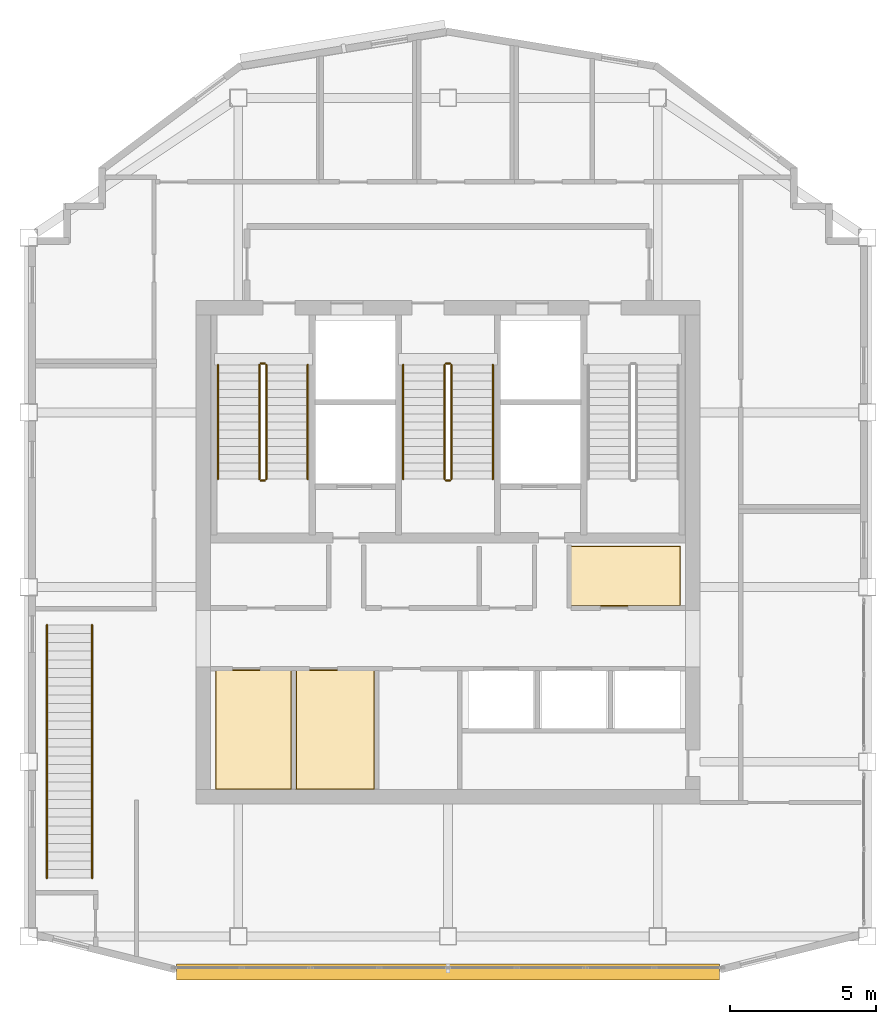
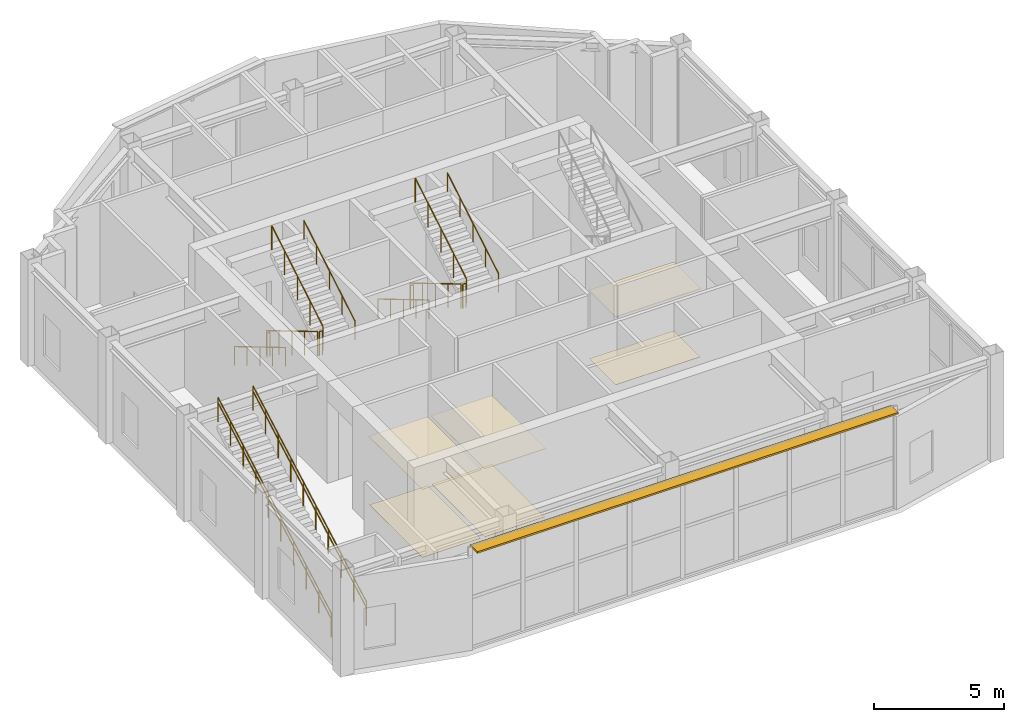
# One storey, part 10 of 11: 16 railings, 6 coverings, 1 shading device.
"""IFC4 building model written with IfcOpenShell, lengths in metres."""

import ifcopenshell
import ifcopenshell.guid

model = None  # the IFC model being written
_history = None  # IfcOwnerHistory: only IFC2X3 demands one
_inside = {}  # id of a spatial element -> (the spatial element, [elements in it])
_under = {}  # id of a project, library or spatial element -> (it, [spatial elements below it])
_declared = {}  # id of a project -> (the project, [libraries it declares])
_typed = {}  # id of a type object -> (the type object, [elements of that type])
_made_of = {}  # id of a material, layer set ... -> (it, [elements and type objects made of it])


def new_model(schema):
    """Start an empty IFC model of exactly this schema.

    Asked for "IFC4X3", IfcOpenShell would pick the latest addendum, in which some entities
    have other attributes; the version numbers below select the first issue.
    IFC2X3 requires an IfcOwnerHistory on every rooted entity: one is made here for all.
    """
    global model, _history
    if schema == "IFC4X3":
        model = ifcopenshell.file(schema_version=(4, 3, 0, 0))
    else:
        model = ifcopenshell.file(schema=schema)
    _inside.clear()
    _under.clear()
    _declared.clear()
    _typed.clear()
    _made_of.clear()
    _history = None
    if model.schema == "IFC2X3":
        org = make("IfcOrganization", Name="unknown")
        user = make(
            "IfcPersonAndOrganization",
            ThePerson=make("IfcPerson", FamilyName="unknown"),
            TheOrganization=org,
        )
        app = make(
            "IfcApplication",
            ApplicationDeveloper=org,
            Version="unknown",
            ApplicationFullName="unknown",
            ApplicationIdentifier="unknown",
        )
        _history = make(
            "IfcOwnerHistory",
            OwningUser=user,
            OwningApplication=app,
            ChangeAction="ADDED",
            CreationDate=0,
        )
    return model


def make(cls, **values):
    """One entity of the class cls with the attributes given. An attribute that is None is left unset."""
    return model.create_entity(
        cls, **{name: value for name, value in values.items() if value is not None}
    )


def rooted(cls, **values):
    """An entity with a GlobalId (a new one), such as an element, a storey or a relation."""
    return make(cls, GlobalId=ifcopenshell.guid.new(), OwnerHistory=_history, **values)


def si_unit(unit_type, name, prefix=None):
    """IfcSIUnit, for example si_unit("LENGTHUNIT", "METRE", prefix="MILLI")."""
    return make("IfcSIUnit", UnitType=unit_type, Prefix=prefix, Name=name)


def assignment(units):
    """IfcUnitAssignment: the units of a project."""
    return None if units is None else make("IfcUnitAssignment", Units=units)


def point(xyz):
    """IfcCartesianPoint."""
    return None if xyz is None else make("IfcCartesianPoint", Coordinates=xyz)


def direction(xyz):
    """IfcDirection."""
    return None if xyz is None else make("IfcDirection", DirectionRatios=xyz)


def frame(location, z_axis=None, x_axis=None):
    """IfcAxis2Placement3D, a coordinate frame: its origin and axes. An axis left out is left unset."""
    return make(
        "IfcAxis2Placement3D",
        Location=point(location),
        Axis=direction(z_axis),
        RefDirection=direction(x_axis),
    )


def frame_2d(location, x_axis=None):
    """IfcAxis2Placement2D, a coordinate frame in the plane: its origin and x axis."""
    return make(
        "IfcAxis2Placement2D", Location=point(location), RefDirection=direction(x_axis)
    )


def origin():
    """The frame at (0, 0, 0) with its axes left unset."""
    return frame((0.0, 0.0, 0.0))


def origin_2d():
    """The frame at (0, 0) in the plane with its x axis left unset."""
    return frame_2d((0.0, 0.0))


def place(relative_to, where):
    """IfcLocalPlacement: puts the frame where relative to a parent placement (None: the world)."""
    return make(
        "IfcLocalPlacement", PlacementRelTo=relative_to, RelativePlacement=where
    )


def context(
    kind, dimensions, precision=None, world=None, true_north=None, identifier=None
):
    """IfcGeometricRepresentationContext, for example the 3D "Model" context."""
    return make(
        "IfcGeometricRepresentationContext",
        ContextIdentifier=identifier,
        ContextType=kind,
        CoordinateSpaceDimension=dimensions,
        Precision=precision,
        WorldCoordinateSystem=world,
        TrueNorth=true_north,
    )


def subcontext(parent, identifier, kind, view, scale=None):
    """IfcGeometricRepresentationSubContext, for example "Body" below "Model"."""
    return make(
        "IfcGeometricRepresentationSubContext",
        ContextIdentifier=identifier,
        ContextType=kind,
        ParentContext=parent,
        TargetScale=scale,
        TargetView=view,
    )


def project(units=None, contexts=None):
    """IfcProject with its units and contexts."""
    return rooted(
        "IfcProject",
        Name="project",
        RepresentationContexts=contexts,
        UnitsInContext=assignment(units),
    )


def spatial(cls, under=None, at=None, **own):
    """A site, building, storey or space (cls), placed at a placement, below another one or the project."""
    s = rooted(cls, ObjectPlacement=at, **own)
    if under is not None:
        _under.setdefault(under.id(), (under, []))[1].append(s)
    return s


def polyline(points):
    """IfcPolyline through the points."""
    return make("IfcPolyline", Points=[point(p) for p in points])


def profile(cls, at=None, kind="AREA", **sizes):
    """A parametric profile (cls). Its sizes go by their IFC names, for example OverallWidth=200.0."""
    return make(cls, ProfileType=kind, Position=at, **sizes)


def rectangle(**sizes):
    """IfcRectangleProfileDef."""
    return profile("IfcRectangleProfileDef", **sizes)


def circle(**sizes):
    """IfcCircleProfileDef."""
    return profile("IfcCircleProfileDef", **sizes)


def outline(outer, holes=None, kind="AREA"):
    """IfcArbitraryClosedProfileDef: a profile drawn as a closed curve; with holes, ...WithVoids."""
    if holes is None:
        return make("IfcArbitraryClosedProfileDef", ProfileType=kind, OuterCurve=outer)
    return make(
        "IfcArbitraryProfileDefWithVoids",
        ProfileType=kind,
        OuterCurve=outer,
        InnerCurves=holes,
    )


def extrude(swept, where, along, depth):
    """IfcExtrudedAreaSolid: the profile swept, set in the frame where, extruded along a direction by depth."""
    return make(
        "IfcExtrudedAreaSolid",
        SweptArea=swept,
        Position=where,
        ExtrudedDirection=direction(along),
        Depth=depth,
    )


def shape(context_of_items, identifier, shape_type, items):
    """IfcShapeRepresentation: the items that make up one representation, for example the "Body"."""
    return make(
        "IfcShapeRepresentation",
        ContextOfItems=context_of_items,
        RepresentationIdentifier=identifier,
        RepresentationType=shape_type,
        Items=items,
    )


def material(Name=None, Category=None):
    """IfcMaterial."""
    return make("IfcMaterial", Name=Name, Category=Category)


def layer(
    of_material, thickness, ventilated=None, Name=None, Category=None, Priority=None
):
    """IfcMaterialLayer: one layer of a wall or slab, of a material (None: an air gap)."""
    return make(
        "IfcMaterialLayer",
        Material=of_material,
        LayerThickness=thickness,
        IsVentilated=ventilated,
        Name=Name,
        Category=Category,
        Priority=Priority,
    )


def layer_set(layers, Name=None):
    """IfcMaterialLayerSet."""
    return make("IfcMaterialLayerSet", MaterialLayers=layers, LayerSetName=Name)


def made_of(thing, what):
    """Note that an element or type object is made of a material, layer set ...; save() writes the relation."""
    if what is not None:
        _made_of.setdefault(what.id(), (what, []))[1].append(thing)
    return thing


def type_object(cls, material=None, **own):
    """A type object (cls), such as IfcWallType, which elements share."""
    return made_of(rooted(cls, **own), material)


def element(
    cls,
    number,
    at=None,
    inside=None,
    cuts=None,
    type_object=None,
    material=None,
    context=None,
    identifier="Body",
    shape_type=None,
    held_by="IfcProductDefinitionShape",
    body=None,
    shapes=None,
    **own,
):
    """One element of the class cls, such as IfcWall. Its Tag is "e" and its number.

    at: its placement. inside: the storey or other place that contains it. cuts: it is an
    opening in that element (IfcRelVoidsElement). A single representation is given by context,
    identifier, shape_type and body (its items); several are given by shapes. held_by: the class
    of the entity that holds the representations. save() writes the other relations.
    """
    e = rooted(cls, Tag="e%d" % number, ObjectPlacement=at, **own)
    if body is not None:
        shapes = [shape(context, identifier, shape_type, body)]
    if shapes is not None:
        e.Representation = make(held_by, Representations=shapes)
    if inside is not None:
        _inside.setdefault(inside.id(), (inside, []))[1].append(e)
    if cuts is not None:
        rooted(
            "IfcRelVoidsElement", RelatingBuildingElement=cuts, RelatedOpeningElement=e
        )
    if type_object is not None:
        _typed.setdefault(type_object.id(), (type_object, []))[1].append(e)
    return made_of(e, material)


def aggregate(whole, parts):
    """IfcRelAggregates: a whole, such as a stair, and the parts it consists of."""
    return rooted("IfcRelAggregates", RelatingObject=whole, RelatedObjects=parts)


def save(model, path):
    """Write the relations noted so far, then the file.

    IfcRelAggregates (storeys below a building ...), IfcRelContainedInSpatialStructure (elements
    in a storey), IfcRelDefinesByType, IfcRelAssociatesMaterial and IfcRelDeclares: one each for
    every whole, place, type object, material and project.
    """
    for whole, parts in _under.values():
        aggregate(whole, parts)
    for where, things in _inside.values():
        rooted(
            "IfcRelContainedInSpatialStructure",
            RelatedElements=things,
            RelatingStructure=where,
        )
    for kind, things in _typed.values():
        rooted("IfcRelDefinesByType", RelatedObjects=things, RelatingType=kind)
    for what, things in _made_of.values():
        rooted("IfcRelAssociatesMaterial", RelatedObjects=things, RelatingMaterial=what)
    for by, libraries in _declared.values():
        rooted("IfcRelDeclares", RelatingContext=by, RelatedDefinitions=libraries)
    model.write(path)


model = new_model("IFC4")

# Units and contexts
model_context = context("Model", 3, precision=1e-05, world=origin(), true_north=direction((0.0, 1.0)))
body_context = subcontext(model_context, "Body", "Model", "MODEL_VIEW")
ifc_project = project(units=[si_unit("LENGTHUNIT", "METRE"), si_unit("AREAUNIT", "SQUARE_METRE"), si_unit("VOLUMEUNIT", "CUBIC_METRE"), si_unit("PLANEANGLEUNIT", "RADIAN"), si_unit("MASSUNIT", "GRAM", prefix="KILO")], contexts=[model_context])

# Site, building, storey
site_placement = place(None, origin())
site = spatial("IfcSite", under=ifc_project, at=site_placement, CompositionType="ELEMENT")
building_placement = place(site_placement, origin())
building = spatial("IfcBuilding", under=site, at=building_placement, Name="Haolan Belvedere Tower", CompositionType="ELEMENT")
storey_placement = place(building_placement, frame((0.0, 0.0, 318.199951171875)))
storey = spatial("IfcBuildingStorey", under=building, at=storey_placement, Name="L80", CompositionType="ELEMENT", Elevation=318.199951171875)

# Coverings
ifc_material_1 = material(Name="Acoustic mineral-fibre suspended ceiling system", Category="masonry")
ifc_layer_1 = layer(ifc_material_1, 0.02490234375, Name="Acoustic mineral-fibre suspended ceiling system")
ifc_layer_set_1 = layer_set([ifc_layer_1], Name="Acoustic mineral-fibre suspended ceiling system")
covering_type_1 = type_object("IfcCoveringType", Name="COV-CEIL-AC25", PredefinedType="CEILING", material=ifc_layer_set_1)
covering_1_placement = place(storey_placement, frame((0.0, 0.0, 3.199951171875)))
element("IfcCovering", 1, at=covering_1_placement, inside=storey, type_object=covering_type_1, Name="L80 suspended acoustic ceiling L80-REUSE-PH23.1", PredefinedType="CEILING", context=body_context, shape_type="SweptSolid", body=[
    extrude(outline(polyline([(42.60791015625, 32.93798828125), (46.39208984375, 32.93798828125), (46.39208984375, 35.011962890625), (42.60791015625, 35.011962890625), (42.60791015625, 32.93798828125)])), origin(), (0.0, 0.0, 1.0), 0.025146484375),
])
covering_2_placement = place(storey_placement, frame((0.0, 0.0, 3.199951171875)))
element("IfcCovering", 2, at=covering_2_placement, inside=storey, type_object=covering_type_1, Name="L80 suspended acoustic ceiling L80-REUSE-PM-A.2", PredefinedType="CEILING", context=body_context, shape_type="SweptSolid", body=[
    extrude(outline(polyline([(30.407958984375, 26.64794921875), (33.031982421875, 26.64794921875), (33.031982421875, 30.761962890625), (30.407958984375, 30.761962890625), (30.407958984375, 26.64794921875)])), origin(), (0.0, 0.0, 1.0), 0.025146484375),
])
covering_3_placement = place(storey_placement, frame((0.0, 0.0, 3.199951171875)))
element("IfcCovering", 3, at=covering_3_placement, inside=storey, type_object=covering_type_1, Name="L80 suspended acoustic ceiling L80-REUSE-PM-B.3", PredefinedType="CEILING", context=body_context, shape_type="SweptSolid", body=[
    extrude(outline(polyline([(33.16796875, 26.64794921875), (35.882080078125, 26.64794921875), (35.882080078125, 30.761962890625), (33.16796875, 30.761962890625), (33.16796875, 26.64794921875)])), origin(), (0.0, 0.0, 1.0), 0.025146484375),
])
ifc_material_2 = material(Name="Honed terrazzo and natural granite stone flooring", Category="masonry")
ifc_layer_2 = layer(ifc_material_2, 0.014892578125, Name="Honed terrazzo and natural granite stone flooring")
ifc_layer_set_2 = layer_set([ifc_layer_2], Name="Honed terrazzo and natural granite stone flooring")
covering_type_2 = type_object("IfcCoveringType", Name="COV-FLR-STN30", PredefinedType="FLOORING", material=ifc_layer_set_2)
covering_4_placement = place(storey_placement, origin())
element("IfcCovering", 4, at=covering_4_placement, inside=storey, type_object=covering_type_2, Name="L80 polished stone floor finish L80-REUSE-PH23.1", PredefinedType="FLOORING", context=body_context, shape_type="SweptSolid", body=[
    extrude(outline(polyline([(46.366943359375, 32.962890625), (46.366943359375, 34.987060546875), (42.633056640625, 34.987060546875), (42.633056640625, 32.962890625), (46.366943359375, 32.962890625)])), origin(), (0.0, 0.0, 1.0), 0.01513671875),
])
covering_5_placement = place(storey_placement, origin())
element("IfcCovering", 5, at=covering_5_placement, inside=storey, type_object=covering_type_2, Name="L80 polished stone floor finish L80-REUSE-PM-A.2", PredefinedType="FLOORING", context=body_context, shape_type="SweptSolid", body=[
    extrude(outline(polyline([(33.007080078125, 26.673095703125), (33.007080078125, 30.737060546875), (30.43310546875, 30.737060546875), (30.43310546875, 26.673095703125), (33.007080078125, 26.673095703125)])), origin(), (0.0, 0.0, 1.0), 0.01513671875),
])
covering_6_placement = place(storey_placement, origin())
element("IfcCovering", 6, at=covering_6_placement, inside=storey, type_object=covering_type_2, Name="L80 polished stone floor finish L80-REUSE-PM-B.3", PredefinedType="FLOORING", context=body_context, shape_type="SweptSolid", body=[
    extrude(outline(polyline([(35.85693359375, 26.673095703125), (35.85693359375, 30.737060546875), (33.193115234375, 30.737060546875), (33.193115234375, 26.673095703125), (35.85693359375, 26.673095703125)])), origin(), (0.0, 0.0, 1.0), 0.01513671875),
])

# Railings
ifc_material_3 = material(Name="Brushed stainless steel 304", Category="steel")
railing_type_1 = type_object("IfcRailingType", Name="RL-STAIR-GRD-1150", PredefinedType="GUARDRAIL", material=ifc_material_3)
railing_1_placement = place(storey_placement, frame((31.919921875, 41.22998046875, 0.166748046875)))
element("IfcRailing", 7, at=railing_1_placement, inside=storey, type_object=railing_type_1, Name="L80 ST1 stair guard 1", PredefinedType="GUARDRAIL", context=body_context, shape_type="SweptSolid", body=[
    extrude(circle(Radius=0.02392578125, at=origin_2d()), frame((0.0, 0.0, 1.1259765625), z_axis=(0.0, -0.859296244711, 0.511478214419), x_axis=(1.0, 0.0, 0.0)), (0.0, 0.0, 1.0), 4.561767578125),
    extrude(circle(Radius=0.02099609375, at=origin_2d()), origin(), (0.0, 0.0, 1.0), 1.101806640625),
    extrude(circle(Radius=0.02099609375, at=origin_2d()), frame((0.0, -0.97998046875, 0.583251953125)), (0.0, 0.0, 1.0), 1.101806640625),
    extrude(circle(Radius=0.02099609375, at=origin_2d()), frame((0.0, -1.9599609375, 1.16650390625)), (0.0, 0.0, 1.0), 1.101806640625),
    extrude(circle(Radius=0.02099609375, at=origin_2d()), frame((0.0, -2.93994140625, 1.75)), (0.0, 0.0, 1.0), 1.101806640625),
    extrude(circle(Radius=0.02099609375, at=origin_2d()), frame((0.0, -3.919921875, 2.333251953125)), (0.0, 0.0, 1.0), 1.101806640625),
])
railing_2_placement = place(storey_placement, frame((31.969970703125, 37.260009765625, 2.5)))
element("IfcRailing", 8, at=railing_2_placement, inside=storey, type_object=railing_type_1, Name="L80 ST1 stair guard 2", PredefinedType="GUARDRAIL", context=body_context, shape_type="SweptSolid", body=[
    extrude(circle(Radius=0.02392578125, at=origin_2d()), frame((0.0, 0.0, 1.1259765625), z_axis=(1.0, 0.0, 0.0), x_axis=(0.0, 1.0, 0.0)), (0.0, 0.0, 1.0), 0.14013671875),
    extrude(circle(Radius=0.02099609375, at=origin_2d()), origin(), (0.0, 0.0, 1.0), 1.101806640625),
    extrude(circle(Radius=0.02099609375, at=origin_2d()), frame((0.14013671875, 0.0, 0.0)), (0.0, 0.0, 1.0), 1.101806640625),
])
railing_3_placement = place(storey_placement, frame((32.159912109375, 37.31005859375, 2.666748046875)))
element("IfcRailing", 9, at=railing_3_placement, inside=storey, type_object=railing_type_1, Name="L80 ST1 stair guard 3", PredefinedType="GUARDRAIL", context=body_context, shape_type="SweptSolid", body=[
    extrude(circle(Radius=0.02392578125, at=origin_2d()), frame((0.0, 0.0, 1.1259765625), z_axis=(0.0, 0.859296244711, 0.511478214419), x_axis=(-1.0, 0.0, 0.0)), (0.0, 0.0, 1.0), 4.561767578125),
    extrude(circle(Radius=0.02099609375, at=origin_2d()), origin(), (0.0, 0.0, 1.0), 1.101806640625),
    extrude(circle(Radius=0.02099609375, at=origin_2d()), frame((0.0, 0.97998046875, 0.583251953125)), (0.0, 0.0, 1.0), 1.101806640625),
    extrude(circle(Radius=0.02099609375, at=origin_2d()), frame((0.0, 1.9599609375, 1.16650390625)), (0.0, 0.0, 1.0), 1.101806640625),
    extrude(circle(Radius=0.02099609375, at=origin_2d()), frame((0.0, 2.93994140625, 1.75)), (0.0, 0.0, 1.0), 1.101806640625),
    extrude(circle(Radius=0.02099609375, at=origin_2d()), frame((0.0, 3.919921875, 2.333251953125)), (0.0, 0.0, 1.0), 1.101806640625),
])
railing_4_placement = place(storey_placement, frame((31.969970703125, 41.280029296875, 0.0)))
element("IfcRailing", 10, at=railing_4_placement, inside=storey, type_object=railing_type_1, Name="L80 ST1 stair guard 4", PredefinedType="GUARDRAIL", context=body_context, shape_type="SweptSolid", body=[
    extrude(circle(Radius=0.02392578125, at=origin_2d()), frame((0.0, 0.0, 1.1259765625), z_axis=(1.0, 0.0, 0.0), x_axis=(0.0, 1.0, 0.0)), (0.0, 0.0, 1.0), 0.14013671875),
    extrude(circle(Radius=0.02099609375, at=origin_2d()), origin(), (0.0, 0.0, 1.0), 1.101806640625),
    extrude(circle(Radius=0.02099609375, at=origin_2d()), frame((0.14013671875, 0.0, 0.0)), (0.0, 0.0, 1.0), 1.101806640625),
])
railing_5_placement = place(storey_placement, frame((38.280029296875, 41.22998046875, 0.166748046875)))
element("IfcRailing", 11, at=railing_5_placement, inside=storey, type_object=railing_type_1, Name="L80 ST3 stair guard 1", PredefinedType="GUARDRAIL", context=body_context, shape_type="SweptSolid", body=[
    extrude(circle(Radius=0.02392578125, at=origin_2d()), frame((0.0, 0.0, 1.1259765625), z_axis=(0.0, -0.859296244711, 0.511478214419), x_axis=(1.0, 0.0, 0.0)), (0.0, 0.0, 1.0), 4.561767578125),
    extrude(circle(Radius=0.02099609375, at=origin_2d()), origin(), (0.0, 0.0, 1.0), 1.101806640625),
    extrude(circle(Radius=0.02099609375, at=origin_2d()), frame((0.0, -0.97998046875, 0.583251953125)), (0.0, 0.0, 1.0), 1.101806640625),
    extrude(circle(Radius=0.02099609375, at=origin_2d()), frame((0.0, -1.9599609375, 1.16650390625)), (0.0, 0.0, 1.0), 1.101806640625),
    extrude(circle(Radius=0.02099609375, at=origin_2d()), frame((0.0, -2.93994140625, 1.75)), (0.0, 0.0, 1.0), 1.101806640625),
    extrude(circle(Radius=0.02099609375, at=origin_2d()), frame((0.0, -3.919921875, 2.333251953125)), (0.0, 0.0, 1.0), 1.101806640625),
])
railing_6_placement = place(storey_placement, frame((38.330078125, 37.260009765625, 2.5)))
element("IfcRailing", 12, at=railing_6_placement, inside=storey, type_object=railing_type_1, Name="L80 ST3 stair guard 2", PredefinedType="GUARDRAIL", context=body_context, shape_type="SweptSolid", body=[
    extrude(circle(Radius=0.02392578125, at=origin_2d()), frame((0.0, 0.0, 1.1259765625), z_axis=(1.0, 0.0, 0.0), x_axis=(0.0, 1.0, 0.0)), (0.0, 0.0, 1.0), 0.139892578125),
    extrude(circle(Radius=0.02099609375, at=origin_2d()), origin(), (0.0, 0.0, 1.0), 1.101806640625),
    extrude(circle(Radius=0.02099609375, at=origin_2d()), frame((0.139892578125, 0.0, 0.0)), (0.0, 0.0, 1.0), 1.101806640625),
])
railing_7_placement = place(storey_placement, frame((38.52001953125, 37.31005859375, 2.666748046875)))
element("IfcRailing", 13, at=railing_7_placement, inside=storey, type_object=railing_type_1, Name="L80 ST3 stair guard 3", PredefinedType="GUARDRAIL", context=body_context, shape_type="SweptSolid", body=[
    extrude(circle(Radius=0.02392578125, at=origin_2d()), frame((0.0, 0.0, 1.1259765625), z_axis=(0.0, 0.859296244711, 0.511478214419), x_axis=(-1.0, 0.0, 0.0)), (0.0, 0.0, 1.0), 4.561767578125),
    extrude(circle(Radius=0.02099609375, at=origin_2d()), origin(), (0.0, 0.0, 1.0), 1.101806640625),
    extrude(circle(Radius=0.02099609375, at=origin_2d()), frame((0.0, 0.97998046875, 0.583251953125)), (0.0, 0.0, 1.0), 1.101806640625),
    extrude(circle(Radius=0.02099609375, at=origin_2d()), frame((0.0, 1.9599609375, 1.16650390625)), (0.0, 0.0, 1.0), 1.101806640625),
    extrude(circle(Radius=0.02099609375, at=origin_2d()), frame((0.0, 2.93994140625, 1.75)), (0.0, 0.0, 1.0), 1.101806640625),
    extrude(circle(Radius=0.02099609375, at=origin_2d()), frame((0.0, 3.919921875, 2.333251953125)), (0.0, 0.0, 1.0), 1.101806640625),
])
railing_8_placement = place(storey_placement, frame((38.330078125, 41.280029296875, 0.0)))
element("IfcRailing", 14, at=railing_8_placement, inside=storey, type_object=railing_type_1, Name="L80 ST3 stair guard 4", PredefinedType="GUARDRAIL", context=body_context, shape_type="SweptSolid", body=[
    extrude(circle(Radius=0.02392578125, at=origin_2d()), frame((0.0, 0.0, 1.1259765625), z_axis=(1.0, 0.0, 0.0), x_axis=(0.0, 1.0, 0.0)), (0.0, 0.0, 1.0), 0.139892578125),
    extrude(circle(Radius=0.02099609375, at=origin_2d()), origin(), (0.0, 0.0, 1.0), 1.101806640625),
    extrude(circle(Radius=0.02099609375, at=origin_2d()), frame((0.139892578125, 0.0, 0.0)), (0.0, 0.0, 1.0), 1.101806640625),
])
for number, where, name in (
    (15, (24.625, 23.60009765625, 0.166748046875), "L80 ST10 flight guard 1"),
    (16, (26.175048828125, 23.60009765625, 0.166748046875), "L80 ST10 flight guard 2"),
):
    element("IfcRailing", number, at=place(storey_placement, frame(where)), inside=storey, type_object=railing_type_1, Name=name, PredefinedType="GUARDRAIL", context=body_context, shape_type="SweptSolid", body=[
        extrude(circle(Radius=0.02392578125, at=origin_2d()), frame((0.0, 0.0, 1.1259765625), z_axis=(0.0, 0.87415959035, 0.485638765544), x_axis=(-1.0, 0.0, 0.0)), (0.0, 0.0, 1.0), 9.952392578125),
        extrude(circle(Radius=0.02099609375, at=origin_2d()), origin(), (0.0, 0.0, 1.0), 1.101806640625),
        extrude(circle(Radius=0.02099609375, at=origin_2d()), frame((0.0, 0.966552734375, 0.537109375)), (0.0, 0.0, 1.0), 1.101806640625),
        extrude(circle(Radius=0.02099609375, at=origin_2d()), frame((0.0, 1.933349609375, 1.073974609375)), (0.0, 0.0, 1.0), 1.101806640625),
        extrude(circle(Radius=0.02099609375, at=origin_2d()), frame((0.0, 2.89990234375, 1.611083984375)), (0.0, 0.0, 1.0), 1.101806640625),
        extrude(circle(Radius=0.02099609375, at=origin_2d()), frame((0.0, 3.86669921875, 2.148193359375)), (0.0, 0.0, 1.0), 1.101806640625),
        extrude(circle(Radius=0.02099609375, at=origin_2d()), frame((0.0, 4.833251953125, 2.68505859375)), (0.0, 0.0, 1.0), 1.101806640625),
        extrude(circle(Radius=0.02099609375, at=origin_2d()), frame((0.0, 5.800048828125, 3.22216796875)), (0.0, 0.0, 1.0), 1.101806640625),
        extrude(circle(Radius=0.02099609375, at=origin_2d()), frame((0.0, 6.7666015625, 3.75927734375)), (0.0, 0.0, 1.0), 1.101806640625),
        extrude(circle(Radius=0.02099609375, at=origin_2d()), frame((0.0, 7.7333984375, 4.296142578125)), (0.0, 0.0, 1.0), 1.101806640625),
        extrude(circle(Radius=0.02099609375, at=origin_2d()), frame((0.0, 8.699951171875, 4.833251953125)), (0.0, 0.0, 1.0), 1.101806640625),
    ])
railing_type_2 = type_object("IfcRailingType", Name="RL-STAIR-HND-900", PredefinedType="HANDRAIL", material=ifc_material_3)
railing_9_placement = place(storey_placement, frame((30.5, 41.22998046875, 0.166748046875)))
element("IfcRailing", 17, at=railing_9_placement, inside=storey, type_object=railing_type_2, Name="L80 ST1 stair handrail 1", PredefinedType="HANDRAIL", context=body_context, shape_type="SweptSolid", body=[
    extrude(circle(Radius=0.02392578125, at=origin_2d()), frame((0.0, 0.0, 0.8759765625), z_axis=(0.0, -0.859296244711, 0.511478214419), x_axis=(1.0, 0.0, 0.0)), (0.0, 0.0, 1.0), 4.561767578125),
    extrude(circle(Radius=0.02099609375, at=origin_2d()), origin(), (0.0, 0.0, 1.0), 0.851806640625),
    extrude(circle(Radius=0.02099609375, at=origin_2d()), frame((0.0, -0.97998046875, 0.583251953125)), (0.0, 0.0, 1.0), 0.851806640625),
    extrude(circle(Radius=0.02099609375, at=origin_2d()), frame((0.0, -1.9599609375, 1.16650390625)), (0.0, 0.0, 1.0), 0.851806640625),
    extrude(circle(Radius=0.02099609375, at=origin_2d()), frame((0.0, -2.93994140625, 1.75)), (0.0, 0.0, 1.0), 0.851806640625),
    extrude(circle(Radius=0.02099609375, at=origin_2d()), frame((0.0, -3.919921875, 2.333251953125)), (0.0, 0.0, 1.0), 0.851806640625),
])
railing_10_placement = place(storey_placement, frame((33.580078125, 37.31005859375, 2.666748046875)))
element("IfcRailing", 18, at=railing_10_placement, inside=storey, type_object=railing_type_2, Name="L80 ST1 stair handrail 2", PredefinedType="HANDRAIL", context=body_context, shape_type="SweptSolid", body=[
    extrude(circle(Radius=0.02392578125, at=origin_2d()), frame((0.0, 0.0, 0.8759765625), z_axis=(0.0, 0.859296244711, 0.511478214419), x_axis=(-1.0, 0.0, 0.0)), (0.0, 0.0, 1.0), 4.561767578125),
    extrude(circle(Radius=0.02099609375, at=origin_2d()), origin(), (0.0, 0.0, 1.0), 0.851806640625),
    extrude(circle(Radius=0.02099609375, at=origin_2d()), frame((0.0, 0.97998046875, 0.583251953125)), (0.0, 0.0, 1.0), 0.851806640625),
    extrude(circle(Radius=0.02099609375, at=origin_2d()), frame((0.0, 1.9599609375, 1.16650390625)), (0.0, 0.0, 1.0), 0.851806640625),
    extrude(circle(Radius=0.02099609375, at=origin_2d()), frame((0.0, 2.93994140625, 1.75)), (0.0, 0.0, 1.0), 0.851806640625),
    extrude(circle(Radius=0.02099609375, at=origin_2d()), frame((0.0, 3.919921875, 2.333251953125)), (0.0, 0.0, 1.0), 0.851806640625),
])
railing_11_placement = place(storey_placement, frame((36.860107421875, 41.22998046875, 0.166748046875)))
element("IfcRailing", 19, at=railing_11_placement, inside=storey, type_object=railing_type_2, Name="L80 ST3 stair handrail 1", PredefinedType="HANDRAIL", context=body_context, shape_type="SweptSolid", body=[
    extrude(circle(Radius=0.02392578125, at=origin_2d()), frame((0.0, 0.0, 0.8759765625), z_axis=(0.0, -0.859296244711, 0.511478214419), x_axis=(1.0, 0.0, 0.0)), (0.0, 0.0, 1.0), 4.561767578125),
    extrude(circle(Radius=0.02099609375, at=origin_2d()), origin(), (0.0, 0.0, 1.0), 0.851806640625),
    extrude(circle(Radius=0.02099609375, at=origin_2d()), frame((0.0, -0.97998046875, 0.583251953125)), (0.0, 0.0, 1.0), 0.851806640625),
    extrude(circle(Radius=0.02099609375, at=origin_2d()), frame((0.0, -1.9599609375, 1.16650390625)), (0.0, 0.0, 1.0), 0.851806640625),
    extrude(circle(Radius=0.02099609375, at=origin_2d()), frame((0.0, -2.93994140625, 1.75)), (0.0, 0.0, 1.0), 0.851806640625),
    extrude(circle(Radius=0.02099609375, at=origin_2d()), frame((0.0, -3.919921875, 2.333251953125)), (0.0, 0.0, 1.0), 0.851806640625),
])
railing_12_placement = place(storey_placement, frame((39.93994140625, 37.31005859375, 2.666748046875)))
element("IfcRailing", 20, at=railing_12_placement, inside=storey, type_object=railing_type_2, Name="L80 ST3 stair handrail 2", PredefinedType="HANDRAIL", context=body_context, shape_type="SweptSolid", body=[
    extrude(circle(Radius=0.02392578125, at=origin_2d()), frame((0.0, 0.0, 0.8759765625), z_axis=(0.0, 0.859296244711, 0.511478214419), x_axis=(-1.0, 0.0, 0.0)), (0.0, 0.0, 1.0), 4.561767578125),
    extrude(circle(Radius=0.02099609375, at=origin_2d()), origin(), (0.0, 0.0, 1.0), 0.851806640625),
    extrude(circle(Radius=0.02099609375, at=origin_2d()), frame((0.0, 0.97998046875, 0.583251953125)), (0.0, 0.0, 1.0), 0.851806640625),
    extrude(circle(Radius=0.02099609375, at=origin_2d()), frame((0.0, 1.9599609375, 1.16650390625)), (0.0, 0.0, 1.0), 0.851806640625),
    extrude(circle(Radius=0.02099609375, at=origin_2d()), frame((0.0, 2.93994140625, 1.75)), (0.0, 0.0, 1.0), 0.851806640625),
    extrude(circle(Radius=0.02099609375, at=origin_2d()), frame((0.0, 3.919921875, 2.333251953125)), (0.0, 0.0, 1.0), 0.851806640625),
])
for number, where, name in (
    (21, (24.625, 23.639892578125, 0.166748046875), "L80 ST10 handrail 1"),
    (22, (26.175048828125, 23.639892578125, 0.166748046875), "L80 ST10 handrail 2"),
):
    element("IfcRailing", number, at=place(storey_placement, frame(where)), inside=storey, type_object=railing_type_2, Name=name, PredefinedType="HANDRAIL", context=body_context, shape_type="SweptSolid", body=[
        extrude(circle(Radius=0.02392578125, at=origin_2d()), frame((0.0, 0.0, 0.8759765625), z_axis=(0.0, 0.873211588652, 0.487341278207), x_axis=(-1.0, 0.0, 0.0)), (0.0, 0.0, 1.0), 9.91748046875),
        extrude(circle(Radius=0.02099609375, at=origin_2d()), origin(), (0.0, 0.0, 1.0), 0.851806640625),
        extrude(circle(Radius=0.02099609375, at=origin_2d()), frame((0.0, 0.962158203125, 0.537109375)), (0.0, 0.0, 1.0), 0.851806640625),
        extrude(circle(Radius=0.02099609375, at=origin_2d()), frame((0.0, 1.924560546875, 1.073974609375)), (0.0, 0.0, 1.0), 0.851806640625),
        extrude(circle(Radius=0.02099609375, at=origin_2d()), frame((0.0, 2.88671875, 1.611083984375)), (0.0, 0.0, 1.0), 0.851806640625),
        extrude(circle(Radius=0.02099609375, at=origin_2d()), frame((0.0, 3.848876953125, 2.148193359375)), (0.0, 0.0, 1.0), 0.851806640625),
        extrude(circle(Radius=0.02099609375, at=origin_2d()), frame((0.0, 4.811279296875, 2.68505859375)), (0.0, 0.0, 1.0), 0.851806640625),
        extrude(circle(Radius=0.02099609375, at=origin_2d()), frame((0.0, 5.7734375, 3.22216796875)), (0.0, 0.0, 1.0), 0.851806640625),
        extrude(circle(Radius=0.02099609375, at=origin_2d()), frame((0.0, 6.735595703125, 3.75927734375)), (0.0, 0.0, 1.0), 0.851806640625),
        extrude(circle(Radius=0.02099609375, at=origin_2d()), frame((0.0, 7.697998046875, 4.296142578125)), (0.0, 0.0, 1.0), 0.851806640625),
        extrude(circle(Radius=0.02099609375, at=origin_2d()), frame((0.0, 8.66015625, 4.833251953125)), (0.0, 0.0, 1.0), 0.851806640625),
    ])

# Shading device
ifc_material_4 = material(Name="Anodised champagne-silver aluminium 6063-T6", Category="aluminium")
ifc_layer_3 = layer(ifc_material_4, 0.080078125, Name="Anodised champagne-silver aluminium 6063-T6")
ifc_layer_set_3 = layer_set([ifc_layer_3], Name="Anodised champagne-silver aluminium 6063-T6")
shading_device_type = type_object("IfcShadingDeviceType", Name="SHD-SUN-550", PredefinedType="USERDEFINED", material=ifc_layer_set_3)
shading_device_placement = place(storey_placement, frame((38.39990234375, 20.3798828125, 4.659912109375), z_axis=(0.0, 0.0, 1.0), x_axis=(1.0, 0.0, 0.0)))
element("IfcShadingDevice", 23, at=shading_device_placement, inside=storey, type_object=shading_device_type, Name="L80 pale-metal horizontal SUNSHADE band 1.1", ObjectType="SUNSHADE", PredefinedType="USERDEFINED", context=body_context, shape_type="SweptSolid", body=[
    extrude(rectangle(XDim=18.650390625, YDim=0.550048828125, at=origin_2d()), origin(), (0.0, 0.0, 1.0), 0.080078125),
])

save(model, "model.ifc")
